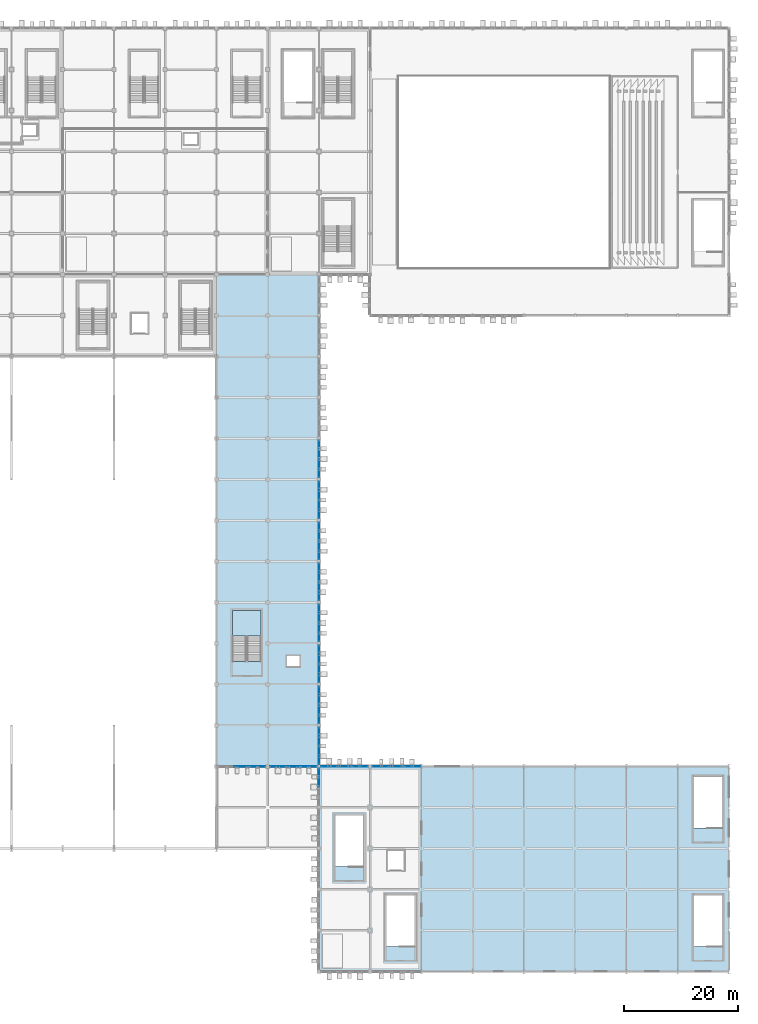
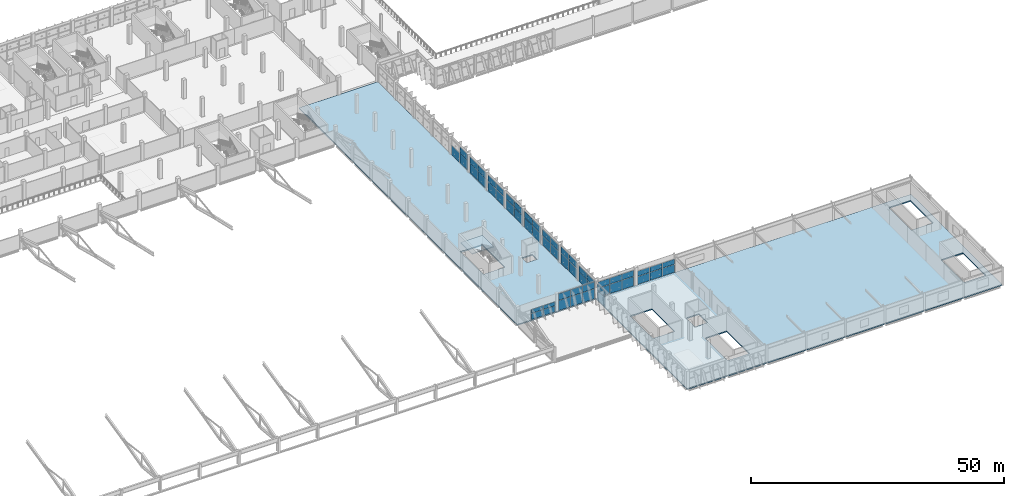
# One storey, part 89 of 151: 55 plates, 3 slabs, 14 elements without a shape of their own.
"""IFC4 building model written with IfcOpenShell, lengths in metres."""

from ifc_helpers import new_model, si_unit, direction, frame, origin, origin_2d, place, context, subcontext, project, spatial, polyline, rectangle, outline, extrude, material, layer, layer_set, type_object, element, aggregate, save


model = new_model("IFC4")

# Units and contexts
model_context = context("Model", 3, precision=1e-05, world=origin(), true_north=direction((0.0, 1.0)))
body_context = subcontext(model_context, "Body", "Model", "MODEL_VIEW")
ifc_project = project(units=[si_unit("LENGTHUNIT", "METRE"), si_unit("AREAUNIT", "SQUARE_METRE"), si_unit("VOLUMEUNIT", "CUBIC_METRE"), si_unit("PLANEANGLEUNIT", "RADIAN"), si_unit("MASSUNIT", "GRAM", prefix="KILO")], contexts=[model_context])

# Site, building, storey
site_placement = place(None, origin())
site = spatial("IfcSite", under=ifc_project, at=site_placement, CompositionType="ELEMENT")
building_placement = place(site_placement, origin())
building = spatial("IfcBuilding", under=site, at=building_placement, Name="Celestram Park Convention Centre", CompositionType="ELEMENT")
storey_placement = place(building_placement, frame((0.0, 0.0, 10.800048828125)))
storey = spatial("IfcBuildingStorey", under=building, at=storey_placement, Name="L02", CompositionType="ELEMENT", Elevation=10.800048828125)

# Curtain wall, plates
ifc_material_1 = material(Name="Anodised Aluminium Alloy 6063-T6", Category="aluminium")
ifc_layer_1 = layer(ifc_material_1, 0.179931640625)
ifc_layer_set_1 = layer_set([ifc_layer_1], Name="Anodised Aluminium Alloy 6063-T6")
curtain_wall_type_1 = type_object("IfcCurtainWallType", Name="ARC-CW-650X390", PredefinedType="NOTDEFINED", material=ifc_layer_set_1)
curtain_wall_1_placement = place(storey_placement, origin())
curtain_wall_1 = element("IfcCurtainWall", 1, at=curtain_wall_1_placement, inside=storey, type_object=curtain_wall_type_1, Name="Unitised curtain wall CU-L02-143", PredefinedType="NOTDEFINED")
ifc_material_2 = material(Name="Insulated Glazing Unit 28 mm", Category="glass")
ifc_layer_2 = layer(ifc_material_2, 0.028076171875)
ifc_layer_set_2 = layer_set([ifc_layer_2], Name="Insulated Glazing Unit 28 mm")
plate_type_1 = type_object("IfcPlateType", Name="ARC-CWP-IGU28", PredefinedType="CURTAIN_PANEL", material=ifc_layer_set_2)
plate_1_placement = place(storey_placement, frame((144.0, 34.009765625, 0.06005859375), z_axis=(0.0, 0.0, 1.0), x_axis=(0.0, 1.0, 0.0)))
plate_1 = element("IfcPlate", 2, at=plate_1_placement, type_object=plate_type_1, Name="CW-65X39 panel 2.1", PredefinedType="CURTAIN_PANEL", context=body_context, shape_type="SweptSolid", body=[
    extrude(rectangle(XDim=3.154541015625, YDim=0.028076171875, at=origin_2d()), origin(), (0.0, 0.0, 1.0), 2.251953125),
])
plate_2_placement = place(storey_placement, frame((144.0, 34.009765625, 2.3720703125), z_axis=(0.0, 0.0, 1.0), x_axis=(0.0, 1.0, 0.0)))
plate_2 = element("IfcPlate", 3, at=plate_2_placement, type_object=plate_type_1, Name="CW-65X39 panel 2.2", PredefinedType="CURTAIN_PANEL", context=body_context, shape_type="SweptSolid", body=[
    extrude(rectangle(XDim=3.154541015625, YDim=0.028076171875, at=origin_2d()), origin(), (0.0, 0.0, 1.0), 1.471923828125),
])
aggregate(curtain_wall_1, [plate_1, plate_2])

ifc_layer_3 = layer(ifc_material_1, 0.179931640625)
ifc_layer_set_3 = layer_set([ifc_layer_3], Name="Anodised Aluminium Alloy 6063-T6")
curtain_wall_type_2 = type_object("IfcCurtainWallType", Name="ARC-CW-650X400", PredefinedType="NOTDEFINED", material=ifc_layer_set_3)
curtain_wall_2_placement = place(storey_placement, origin())
curtain_wall_2 = element("IfcCurtainWall", 4, at=curtain_wall_2_placement, inside=storey, type_object=curtain_wall_type_2, Name="Unitised curtain wall CU-L02-185", PredefinedType="NOTDEFINED")
plate_3_placement = place(storey_placement, frame((144.0, 91.60986328125, 0.059814453125), z_axis=(0.0, 0.0, 1.0), x_axis=(0.0, -1.0, 0.0)))
plate_3 = element("IfcPlate", 5, at=plate_3_placement, type_object=plate_type_1, Name="CW-65X40 panel 1.1", PredefinedType="CURTAIN_PANEL", context=body_context, shape_type="SweptSolid", body=[
    extrude(rectangle(XDim=3.154541015625, YDim=0.028076171875, at=origin_2d()), origin(), (0.0, 0.0, 1.0), 2.31005859375),
])
plate_4_placement = place(storey_placement, frame((144.0, 88.39013671875, 0.059814453125), z_axis=(0.0, 0.0, 1.0), x_axis=(0.0, -1.0, 0.0)))
plate_4 = element("IfcPlate", 6, at=plate_4_placement, type_object=plate_type_1, Name="CW-65X40 panel 2.1", PredefinedType="CURTAIN_PANEL", context=body_context, shape_type="SweptSolid", body=[
    extrude(rectangle(XDim=3.154541015625, YDim=0.028076171875, at=origin_2d()), origin(), (0.0, 0.0, 1.0), 2.31005859375),
])
plate_5_placement = place(storey_placement, frame((144.0, 88.39013671875, 2.43017578125), z_axis=(0.0, 0.0, 1.0), x_axis=(0.0, -1.0, 0.0)))
plate_5 = element("IfcPlate", 7, at=plate_5_placement, type_object=plate_type_1, Name="CW-65X40 panel 2.2", PredefinedType="CURTAIN_PANEL", context=body_context, shape_type="SweptSolid", body=[
    extrude(rectangle(XDim=3.154541015625, YDim=0.028076171875, at=origin_2d()), origin(), (0.0, 0.0, 1.0), 1.510009765625),
])
aggregate(curtain_wall_2, [plate_3, plate_4, plate_5])

curtain_wall_3_placement = place(storey_placement, origin())
curtain_wall_3 = element("IfcCurtainWall", 8, at=curtain_wall_3_placement, inside=storey, type_object=curtain_wall_type_2, Name="Unitised curtain wall CU-L02-186", PredefinedType="NOTDEFINED")
plate_6_placement = place(storey_placement, frame((144.0, 84.40966796875, 0.059814453125), z_axis=(0.0, 0.0, 1.0), x_axis=(0.0, -1.0, 0.0)))
plate_6 = element("IfcPlate", 9, at=plate_6_placement, type_object=plate_type_1, Name="CW-65X40 panel 1.1", PredefinedType="CURTAIN_PANEL", context=body_context, shape_type="SweptSolid", body=[
    extrude(rectangle(XDim=3.154541015625, YDim=0.028076171875, at=origin_2d()), origin(), (0.0, 0.0, 1.0), 2.31005859375),
])
plate_7_placement = place(storey_placement, frame((144.0, 84.40966796875, 2.43017578125), z_axis=(0.0, 0.0, 1.0), x_axis=(0.0, -1.0, 0.0)))
plate_7 = element("IfcPlate", 10, at=plate_7_placement, type_object=plate_type_1, Name="CW-65X40 panel 1.2", PredefinedType="CURTAIN_PANEL", context=body_context, shape_type="SweptSolid", body=[
    extrude(rectangle(XDim=3.154541015625, YDim=0.028076171875, at=origin_2d()), origin(), (0.0, 0.0, 1.0), 1.510009765625),
])
plate_8_placement = place(storey_placement, frame((144.0, 81.190185546875, 0.059814453125), z_axis=(0.0, 0.0, 1.0), x_axis=(0.0, -1.0, 0.0)))
plate_8 = element("IfcPlate", 11, at=plate_8_placement, type_object=plate_type_1, Name="CW-65X40 panel 2.1", PredefinedType="CURTAIN_PANEL", context=body_context, shape_type="SweptSolid", body=[
    extrude(rectangle(XDim=3.154541015625, YDim=0.028076171875, at=origin_2d()), origin(), (0.0, 0.0, 1.0), 2.31005859375),
])
plate_9_placement = place(storey_placement, frame((144.0, 81.190185546875, 2.43017578125), z_axis=(0.0, 0.0, 1.0), x_axis=(0.0, -1.0, 0.0)))
plate_9 = element("IfcPlate", 12, at=plate_9_placement, type_object=plate_type_1, Name="CW-65X40 panel 2.2", PredefinedType="CURTAIN_PANEL", context=body_context, shape_type="SweptSolid", body=[
    extrude(rectangle(XDim=3.154541015625, YDim=0.028076171875, at=origin_2d()), origin(), (0.0, 0.0, 1.0), 1.510009765625),
])
aggregate(curtain_wall_3, [plate_6, plate_7, plate_8, plate_9])

curtain_wall_4_placement = place(storey_placement, origin())
curtain_wall_4 = element("IfcCurtainWall", 13, at=curtain_wall_4_placement, inside=storey, type_object=curtain_wall_type_2, Name="Unitised curtain wall CU-L02-187", PredefinedType="NOTDEFINED")
plate_10_placement = place(storey_placement, frame((144.0, 77.209716796875, 0.059814453125), z_axis=(0.0, 0.0, 1.0), x_axis=(0.0, -1.0, 0.0)))
plate_10 = element("IfcPlate", 14, at=plate_10_placement, type_object=plate_type_1, Name="CW-65X40 panel 1.1", PredefinedType="CURTAIN_PANEL", context=body_context, shape_type="SweptSolid", body=[
    extrude(rectangle(XDim=3.154541015625, YDim=0.028076171875, at=origin_2d()), origin(), (0.0, 0.0, 1.0), 2.31005859375),
])
plate_11_placement = place(storey_placement, frame((144.0, 77.209716796875, 2.43017578125), z_axis=(0.0, 0.0, 1.0), x_axis=(0.0, -1.0, 0.0)))
plate_11 = element("IfcPlate", 15, at=plate_11_placement, type_object=plate_type_1, Name="CW-65X40 panel 1.2", PredefinedType="CURTAIN_PANEL", context=body_context, shape_type="SweptSolid", body=[
    extrude(rectangle(XDim=3.154541015625, YDim=0.028076171875, at=origin_2d()), origin(), (0.0, 0.0, 1.0), 1.510009765625),
])
plate_12_placement = place(storey_placement, frame((144.0, 73.990234375, 0.059814453125), z_axis=(0.0, 0.0, 1.0), x_axis=(0.0, -1.0, 0.0)))
plate_12 = element("IfcPlate", 16, at=plate_12_placement, type_object=plate_type_1, Name="CW-65X40 panel 2.1", PredefinedType="CURTAIN_PANEL", context=body_context, shape_type="SweptSolid", body=[
    extrude(rectangle(XDim=3.154541015625, YDim=0.028076171875, at=origin_2d()), origin(), (0.0, 0.0, 1.0), 2.31005859375),
])
plate_13_placement = place(storey_placement, frame((144.0, 73.990234375, 2.43017578125), z_axis=(0.0, 0.0, 1.0), x_axis=(0.0, -1.0, 0.0)))
plate_13 = element("IfcPlate", 17, at=plate_13_placement, type_object=plate_type_1, Name="CW-65X40 panel 2.2", PredefinedType="CURTAIN_PANEL", context=body_context, shape_type="SweptSolid", body=[
    extrude(rectangle(XDim=3.154541015625, YDim=0.028076171875, at=origin_2d()), origin(), (0.0, 0.0, 1.0), 1.510009765625),
])
aggregate(curtain_wall_4, [plate_10, plate_11, plate_12, plate_13])

curtain_wall_5_placement = place(storey_placement, origin())
curtain_wall_5 = element("IfcCurtainWall", 18, at=curtain_wall_5_placement, inside=storey, type_object=curtain_wall_type_2, Name="Unitised curtain wall CU-L02-188", PredefinedType="NOTDEFINED")
plate_14_placement = place(storey_placement, frame((144.0, 70.009765625, 0.059814453125), z_axis=(0.0, 0.0, 1.0), x_axis=(0.0, -1.0, 0.0)))
plate_14 = element("IfcPlate", 19, at=plate_14_placement, type_object=plate_type_1, Name="CW-65X40 panel 1.1", PredefinedType="CURTAIN_PANEL", context=body_context, shape_type="SweptSolid", body=[
    extrude(rectangle(XDim=3.154541015625, YDim=0.028076171875, at=origin_2d()), origin(), (0.0, 0.0, 1.0), 2.31005859375),
])
plate_15_placement = place(storey_placement, frame((144.0, 70.009765625, 2.43017578125), z_axis=(0.0, 0.0, 1.0), x_axis=(0.0, -1.0, 0.0)))
plate_15 = element("IfcPlate", 20, at=plate_15_placement, type_object=plate_type_1, Name="CW-65X40 panel 1.2", PredefinedType="CURTAIN_PANEL", context=body_context, shape_type="SweptSolid", body=[
    extrude(rectangle(XDim=3.154541015625, YDim=0.028076171875, at=origin_2d()), origin(), (0.0, 0.0, 1.0), 1.510009765625),
])
plate_16_placement = place(storey_placement, frame((144.0, 66.790283203125, 0.059814453125), z_axis=(0.0, 0.0, 1.0), x_axis=(0.0, -1.0, 0.0)))
plate_16 = element("IfcPlate", 21, at=plate_16_placement, type_object=plate_type_1, Name="CW-65X40 panel 2.1", PredefinedType="CURTAIN_PANEL", context=body_context, shape_type="SweptSolid", body=[
    extrude(rectangle(XDim=3.154541015625, YDim=0.028076171875, at=origin_2d()), origin(), (0.0, 0.0, 1.0), 2.31005859375),
])
plate_17_placement = place(storey_placement, frame((144.0, 66.790283203125, 2.43017578125), z_axis=(0.0, 0.0, 1.0), x_axis=(0.0, -1.0, 0.0)))
plate_17 = element("IfcPlate", 22, at=plate_17_placement, type_object=plate_type_1, Name="CW-65X40 panel 2.2", PredefinedType="CURTAIN_PANEL", context=body_context, shape_type="SweptSolid", body=[
    extrude(rectangle(XDim=3.154541015625, YDim=0.028076171875, at=origin_2d()), origin(), (0.0, 0.0, 1.0), 1.510009765625),
])
aggregate(curtain_wall_5, [plate_14, plate_15, plate_16, plate_17])

curtain_wall_6_placement = place(storey_placement, origin())
curtain_wall_6 = element("IfcCurtainWall", 23, at=curtain_wall_6_placement, inside=storey, type_object=curtain_wall_type_2, Name="Unitised curtain wall CU-L02-189", PredefinedType="NOTDEFINED")
plate_18_placement = place(storey_placement, frame((144.0, 62.809814453125, 0.059814453125), z_axis=(0.0, 0.0, 1.0), x_axis=(0.0, -1.0, 0.0)))
plate_18 = element("IfcPlate", 24, at=plate_18_placement, type_object=plate_type_1, Name="CW-65X40 panel 1.1", PredefinedType="CURTAIN_PANEL", context=body_context, shape_type="SweptSolid", body=[
    extrude(rectangle(XDim=3.154541015625, YDim=0.028076171875, at=origin_2d()), origin(), (0.0, 0.0, 1.0), 2.31005859375),
])
plate_19_placement = place(storey_placement, frame((144.0, 62.809814453125, 2.43017578125), z_axis=(0.0, 0.0, 1.0), x_axis=(0.0, -1.0, 0.0)))
plate_19 = element("IfcPlate", 25, at=plate_19_placement, type_object=plate_type_1, Name="CW-65X40 panel 1.2", PredefinedType="CURTAIN_PANEL", context=body_context, shape_type="SweptSolid", body=[
    extrude(rectangle(XDim=3.154541015625, YDim=0.028076171875, at=origin_2d()), origin(), (0.0, 0.0, 1.0), 1.510009765625),
])
plate_20_placement = place(storey_placement, frame((144.0, 59.59033203125, 0.059814453125), z_axis=(0.0, 0.0, 1.0), x_axis=(0.0, -1.0, 0.0)))
plate_20 = element("IfcPlate", 26, at=plate_20_placement, type_object=plate_type_1, Name="CW-65X40 panel 2.1", PredefinedType="CURTAIN_PANEL", context=body_context, shape_type="SweptSolid", body=[
    extrude(rectangle(XDim=3.154541015625, YDim=0.028076171875, at=origin_2d()), origin(), (0.0, 0.0, 1.0), 2.31005859375),
])
plate_21_placement = place(storey_placement, frame((144.0, 59.59033203125, 2.43017578125), z_axis=(0.0, 0.0, 1.0), x_axis=(0.0, -1.0, 0.0)))
plate_21 = element("IfcPlate", 27, at=plate_21_placement, type_object=plate_type_1, Name="CW-65X40 panel 2.2", PredefinedType="CURTAIN_PANEL", context=body_context, shape_type="SweptSolid", body=[
    extrude(rectangle(XDim=3.154541015625, YDim=0.028076171875, at=origin_2d()), origin(), (0.0, 0.0, 1.0), 1.510009765625),
])
aggregate(curtain_wall_6, [plate_18, plate_19, plate_20, plate_21])

curtain_wall_7_placement = place(storey_placement, origin())
curtain_wall_7 = element("IfcCurtainWall", 28, at=curtain_wall_7_placement, inside=storey, type_object=curtain_wall_type_2, Name="Unitised curtain wall CU-L02-190", PredefinedType="NOTDEFINED")
plate_22_placement = place(storey_placement, frame((144.0, 55.60986328125, 0.059814453125), z_axis=(0.0, 0.0, 1.0), x_axis=(0.0, -1.0, 0.0)))
plate_22 = element("IfcPlate", 29, at=plate_22_placement, type_object=plate_type_1, Name="CW-65X40 panel 1.1", PredefinedType="CURTAIN_PANEL", context=body_context, shape_type="SweptSolid", body=[
    extrude(rectangle(XDim=3.154541015625, YDim=0.028076171875, at=origin_2d()), origin(), (0.0, 0.0, 1.0), 2.31005859375),
])
plate_23_placement = place(storey_placement, frame((144.0, 55.60986328125, 2.43017578125), z_axis=(0.0, 0.0, 1.0), x_axis=(0.0, -1.0, 0.0)))
plate_23 = element("IfcPlate", 30, at=plate_23_placement, type_object=plate_type_1, Name="CW-65X40 panel 1.2", PredefinedType="CURTAIN_PANEL", context=body_context, shape_type="SweptSolid", body=[
    extrude(rectangle(XDim=3.154541015625, YDim=0.028076171875, at=origin_2d()), origin(), (0.0, 0.0, 1.0), 1.510009765625),
])
plate_24_placement = place(storey_placement, frame((144.0, 52.39013671875, 0.059814453125), z_axis=(0.0, 0.0, 1.0), x_axis=(0.0, -1.0, 0.0)))
plate_24 = element("IfcPlate", 31, at=plate_24_placement, type_object=plate_type_1, Name="CW-65X40 panel 2.1", PredefinedType="CURTAIN_PANEL", context=body_context, shape_type="SweptSolid", body=[
    extrude(rectangle(XDim=3.154541015625, YDim=0.028076171875, at=origin_2d()), origin(), (0.0, 0.0, 1.0), 2.31005859375),
])
plate_25_placement = place(storey_placement, frame((144.0, 52.39013671875, 2.43017578125), z_axis=(0.0, 0.0, 1.0), x_axis=(0.0, -1.0, 0.0)))
plate_25 = element("IfcPlate", 32, at=plate_25_placement, type_object=plate_type_1, Name="CW-65X40 panel 2.2", PredefinedType="CURTAIN_PANEL", context=body_context, shape_type="SweptSolid", body=[
    extrude(rectangle(XDim=3.154541015625, YDim=0.028076171875, at=origin_2d()), origin(), (0.0, 0.0, 1.0), 1.510009765625),
])
aggregate(curtain_wall_7, [plate_22, plate_23, plate_24, plate_25])

ifc_layer_4 = layer(ifc_material_1, 0.179931640625)
ifc_layer_set_4 = layer_set([ifc_layer_4], Name="Anodised Aluminium Alloy 6063-T6")
curtain_wall_type_3 = type_object("IfcCurtainWallType", Name="ARC-CW-650X420", PredefinedType="NOTDEFINED", material=ifc_layer_set_4)
curtain_wall_8_placement = place(storey_placement, origin())
curtain_wall_8 = element("IfcCurtainWall", 33, at=curtain_wall_8_placement, inside=storey, type_object=curtain_wall_type_3, Name="Unitised curtain wall CU-L02-191", PredefinedType="NOTDEFINED")
plate_26_placement = place(storey_placement, frame((144.0, 48.40966796875, 0.06005859375), z_axis=(0.0, 0.0, 1.0), x_axis=(0.0, -1.0, 0.0)))
plate_26 = element("IfcPlate", 34, at=plate_26_placement, type_object=plate_type_1, Name="CW-65X42 panel 1.1", PredefinedType="CURTAIN_PANEL", context=body_context, shape_type="SweptSolid", body=[
    extrude(rectangle(XDim=3.154541015625, YDim=0.028076171875, at=origin_2d()), origin(), (0.0, 0.0, 1.0), 2.429931640625),
])
plate_27_placement = place(storey_placement, frame((144.0, 48.40966796875, 2.5498046875), z_axis=(0.0, 0.0, 1.0), x_axis=(0.0, -1.0, 0.0)))
plate_27 = element("IfcPlate", 35, at=plate_27_placement, type_object=plate_type_1, Name="CW-65X42 panel 1.2", PredefinedType="CURTAIN_PANEL", context=body_context, shape_type="SweptSolid", body=[
    extrude(rectangle(XDim=3.154541015625, YDim=0.028076171875, at=origin_2d()), origin(), (0.0, 0.0, 1.0), 1.590087890625),
])
plate_28_placement = place(storey_placement, frame((144.0, 45.190185546875, 0.06005859375), z_axis=(0.0, 0.0, 1.0), x_axis=(0.0, -1.0, 0.0)))
plate_28 = element("IfcPlate", 36, at=plate_28_placement, type_object=plate_type_1, Name="CW-65X42 panel 2.1", PredefinedType="CURTAIN_PANEL", context=body_context, shape_type="SweptSolid", body=[
    extrude(rectangle(XDim=3.154541015625, YDim=0.028076171875, at=origin_2d()), origin(), (0.0, 0.0, 1.0), 2.429931640625),
])
plate_29_placement = place(storey_placement, frame((144.0, 45.190185546875, 2.5498046875), z_axis=(0.0, 0.0, 1.0), x_axis=(0.0, -1.0, 0.0)))
plate_29 = element("IfcPlate", 37, at=plate_29_placement, type_object=plate_type_1, Name="CW-65X42 panel 2.2", PredefinedType="CURTAIN_PANEL", context=body_context, shape_type="SweptSolid", body=[
    extrude(rectangle(XDim=3.154541015625, YDim=0.028076171875, at=origin_2d()), origin(), (0.0, 0.0, 1.0), 1.590087890625),
])
aggregate(curtain_wall_8, [plate_26, plate_27, plate_28, plate_29])

curtain_wall_9_placement = place(storey_placement, origin())
curtain_wall_9 = element("IfcCurtainWall", 38, at=curtain_wall_9_placement, inside=storey, type_object=curtain_wall_type_1, Name="Unitised curtain wall CU-L02-192", PredefinedType="NOTDEFINED")
plate_30_placement = place(storey_placement, frame((144.0, 41.209716796875, 0.06005859375), z_axis=(0.0, 0.0, 1.0), x_axis=(0.0, -1.0, 0.0)))
plate_30 = element("IfcPlate", 39, at=plate_30_placement, type_object=plate_type_1, Name="CW-65X39 panel 1.1", PredefinedType="CURTAIN_PANEL", context=body_context, shape_type="SweptSolid", body=[
    extrude(rectangle(XDim=3.154541015625, YDim=0.028076171875, at=origin_2d()), origin(), (0.0, 0.0, 1.0), 2.251953125),
])
plate_31_placement = place(storey_placement, frame((144.0, 41.209716796875, 2.3720703125), z_axis=(0.0, 0.0, 1.0), x_axis=(0.0, -1.0, 0.0)))
plate_31 = element("IfcPlate", 40, at=plate_31_placement, type_object=plate_type_1, Name="CW-65X39 panel 1.2", PredefinedType="CURTAIN_PANEL", context=body_context, shape_type="SweptSolid", body=[
    extrude(rectangle(XDim=3.154541015625, YDim=0.028076171875, at=origin_2d()), origin(), (0.0, 0.0, 1.0), 1.471923828125),
])
plate_32_placement = place(storey_placement, frame((144.0, 37.990234375, 0.06005859375), z_axis=(0.0, 0.0, 1.0), x_axis=(0.0, -1.0, 0.0)))
plate_32 = element("IfcPlate", 41, at=plate_32_placement, type_object=plate_type_1, Name="CW-65X39 panel 2.1", PredefinedType="CURTAIN_PANEL", context=body_context, shape_type="SweptSolid", body=[
    extrude(rectangle(XDim=3.154541015625, YDim=0.028076171875, at=origin_2d()), origin(), (0.0, 0.0, 1.0), 2.251953125),
])
plate_33_placement = place(storey_placement, frame((144.0, 37.990234375, 2.3720703125), z_axis=(0.0, 0.0, 1.0), x_axis=(0.0, -1.0, 0.0)))
plate_33 = element("IfcPlate", 42, at=plate_33_placement, type_object=plate_type_1, Name="CW-65X39 panel 2.2", PredefinedType="CURTAIN_PANEL", context=body_context, shape_type="SweptSolid", body=[
    extrude(rectangle(XDim=3.154541015625, YDim=0.028076171875, at=origin_2d()), origin(), (0.0, 0.0, 1.0), 1.471923828125),
])
aggregate(curtain_wall_9, [plate_30, plate_31, plate_32, plate_33])

ifc_layer_5 = layer(ifc_material_1, 0.179931640625)
ifc_layer_set_5 = layer_set([ifc_layer_5], Name="Anodised Aluminium Alloy 6063-T6")
curtain_wall_type_4 = type_object("IfcCurtainWallType", Name="ARC-CW-830X390", PredefinedType="NOTDEFINED", material=ifc_layer_set_5)
curtain_wall_10_placement = place(storey_placement, origin())
curtain_wall_10 = element("IfcCurtainWall", 43, at=curtain_wall_10_placement, inside=storey, type_object=curtain_wall_type_4, Name="Unitised curtain wall CU-L02-144", PredefinedType="NOTDEFINED")
ifc_material_3 = material(Name="Insulated Glazing Unit 38 mm", Category="glass")
ifc_layer_6 = layer(ifc_material_3, 0.0380859375)
ifc_layer_set_6 = layer_set([ifc_layer_6], Name="Insulated Glazing Unit 38 mm")
plate_type_2 = type_object("IfcPlateType", Name="ARC-CWP-IGU38", PredefinedType="CURTAIN_PANEL", material=ifc_layer_set_6)
plate_34_placement = place(storey_placement, frame((145.750732421875, 36.0, 0.06494140625), z_axis=(0.0, 0.0, 1.0), x_axis=(1.0, 0.0, 0.0)))
plate_34 = element("IfcPlate", 44, at=plate_34_placement, type_object=plate_type_2, Name="CW-83X39 panel 1.1", PredefinedType="CURTAIN_PANEL", context=body_context, shape_type="SweptSolid", body=[
    extrude(rectangle(XDim=2.655517578125, YDim=0.0380859375, at=origin_2d()), origin(), (0.0, 0.0, 1.0), 2.244384765625),
])
plate_35_placement = place(storey_placement, frame((145.750732421875, 36.0, 2.37451171875), z_axis=(0.0, 0.0, 1.0), x_axis=(1.0, 0.0, 0.0)))
plate_35 = element("IfcPlate", 45, at=plate_35_placement, type_object=plate_type_2, Name="CW-83X39 panel 1.2", PredefinedType="CURTAIN_PANEL", context=body_context, shape_type="SweptSolid", body=[
    extrude(rectangle(XDim=2.655517578125, YDim=0.0380859375, at=origin_2d()), origin(), (0.0, 0.0, 1.0), 1.464599609375),
])
plate_36_placement = place(storey_placement, frame((148.5, 36.0, 0.06494140625), z_axis=(0.0, 0.0, 1.0), x_axis=(1.0, 0.0, 0.0)))
plate_36 = element("IfcPlate", 46, at=plate_36_placement, type_object=plate_type_2, Name="CW-83X39 panel 2.1", PredefinedType="CURTAIN_PANEL", context=body_context, shape_type="SweptSolid", body=[
    extrude(rectangle(XDim=2.693115234375, YDim=0.0380859375, at=origin_2d()), origin(), (0.0, 0.0, 1.0), 2.244384765625),
])
plate_37_placement = place(storey_placement, frame((148.5, 36.0, 2.37451171875), z_axis=(0.0, 0.0, 1.0), x_axis=(1.0, 0.0, 0.0)))
plate_37 = element("IfcPlate", 47, at=plate_37_placement, type_object=plate_type_2, Name="CW-83X39 panel 2.2", PredefinedType="CURTAIN_PANEL", context=body_context, shape_type="SweptSolid", body=[
    extrude(rectangle(XDim=2.693115234375, YDim=0.0380859375, at=origin_2d()), origin(), (0.0, 0.0, 1.0), 1.464599609375),
])
plate_38_placement = place(storey_placement, frame((151.249267578125, 36.0, 0.06494140625), z_axis=(0.0, 0.0, 1.0), x_axis=(1.0, 0.0, 0.0)))
plate_38 = element("IfcPlate", 48, at=plate_38_placement, type_object=plate_type_2, Name="CW-83X39 panel 3.1", PredefinedType="CURTAIN_PANEL", context=body_context, shape_type="SweptSolid", body=[
    extrude(rectangle(XDim=2.655517578125, YDim=0.0380859375, at=origin_2d()), origin(), (0.0, 0.0, 1.0), 2.244384765625),
])
plate_39_placement = place(storey_placement, frame((151.249267578125, 36.0, 2.37451171875), z_axis=(0.0, 0.0, 1.0), x_axis=(1.0, 0.0, 0.0)))
plate_39 = element("IfcPlate", 49, at=plate_39_placement, type_object=plate_type_2, Name="CW-83X39 panel 3.2", PredefinedType="CURTAIN_PANEL", context=body_context, shape_type="SweptSolid", body=[
    extrude(rectangle(XDim=2.655517578125, YDim=0.0380859375, at=origin_2d()), origin(), (0.0, 0.0, 1.0), 1.464599609375),
])
aggregate(curtain_wall_10, [plate_34, plate_35, plate_36, plate_37, plate_38, plate_39])

ifc_layer_7 = layer(ifc_material_1, 0.179931640625)
ifc_layer_set_7 = layer_set([ifc_layer_7], Name="Anodised Aluminium Alloy 6063-T6")
curtain_wall_type_5 = type_object("IfcCurtainWallType", Name="ARC-CW-864X334", PredefinedType="NOTDEFINED", material=ifc_layer_set_7)
curtain_wall_11_placement = place(storey_placement, origin())
curtain_wall_11 = element("IfcCurtainWall", 50, at=curtain_wall_11_placement, inside=storey, type_object=curtain_wall_type_5, Name="Unitised curtain wall CU-L02-145", PredefinedType="NOTDEFINED")
plate_40_placement = place(storey_placement, frame((154.8076171875, 36.0, 0.06494140625), z_axis=(0.0, 0.0, 1.0), x_axis=(1.0, 0.0, 0.0)))
plate_40 = element("IfcPlate", 51, at=plate_40_placement, type_object=plate_type_2, Name="CW-86X33 panel 1.1", PredefinedType="CURTAIN_PANEL", context=body_context, shape_type="SweptSolid", body=[
    extrude(rectangle(XDim=2.76904296875, YDim=0.0380859375, at=origin_2d()), origin(), (0.0, 0.0, 1.0), 1.904541015625),
])
plate_41_placement = place(storey_placement, frame((154.8076171875, 36.0, 2.0341796875), z_axis=(0.0, 0.0, 1.0), x_axis=(1.0, 0.0, 0.0)))
plate_41 = element("IfcPlate", 52, at=plate_41_placement, type_object=plate_type_2, Name="CW-86X33 panel 1.2", PredefinedType="CURTAIN_PANEL", context=body_context, shape_type="SweptSolid", body=[
    extrude(rectangle(XDim=2.76904296875, YDim=0.0380859375, at=origin_2d()), origin(), (0.0, 0.0, 1.0), 1.236572265625),
])
plate_42_placement = place(storey_placement, frame((157.67041015625, 36.0, 0.06494140625), z_axis=(0.0, 0.0, 1.0), x_axis=(1.0, 0.0, 0.0)))
plate_42 = element("IfcPlate", 53, at=plate_42_placement, type_object=plate_type_2, Name="CW-86X33 panel 2.1", PredefinedType="CURTAIN_PANEL", context=body_context, shape_type="SweptSolid", body=[
    extrude(rectangle(XDim=2.806640625, YDim=0.0380859375, at=origin_2d()), origin(), (0.0, 0.0, 1.0), 1.904541015625),
])
plate_43_placement = place(storey_placement, frame((157.67041015625, 36.0, 2.0341796875), z_axis=(0.0, 0.0, 1.0), x_axis=(1.0, 0.0, 0.0)))
plate_43 = element("IfcPlate", 54, at=plate_43_placement, type_object=plate_type_2, Name="CW-86X33 panel 2.2", PredefinedType="CURTAIN_PANEL", context=body_context, shape_type="SweptSolid", body=[
    extrude(rectangle(XDim=2.806640625, YDim=0.0380859375, at=origin_2d()), origin(), (0.0, 0.0, 1.0), 1.236572265625),
])
plate_44_placement = place(storey_placement, frame((160.533447265625, 36.0, 0.06494140625), z_axis=(0.0, 0.0, 1.0), x_axis=(1.0, 0.0, 0.0)))
plate_44 = element("IfcPlate", 55, at=plate_44_placement, type_object=plate_type_2, Name="CW-86X33 panel 3.1", PredefinedType="CURTAIN_PANEL", context=body_context, shape_type="SweptSolid", body=[
    extrude(rectangle(XDim=2.76904296875, YDim=0.0380859375, at=origin_2d()), origin(), (0.0, 0.0, 1.0), 1.904541015625),
])
plate_45_placement = place(storey_placement, frame((160.533447265625, 36.0, 2.0341796875), z_axis=(0.0, 0.0, 1.0), x_axis=(1.0, 0.0, 0.0)))
plate_45 = element("IfcPlate", 56, at=plate_45_placement, type_object=plate_type_2, Name="CW-86X33 panel 3.2", PredefinedType="CURTAIN_PANEL", context=body_context, shape_type="SweptSolid", body=[
    extrude(rectangle(XDim=2.76904296875, YDim=0.0380859375, at=origin_2d()), origin(), (0.0, 0.0, 1.0), 1.236572265625),
])
aggregate(curtain_wall_11, [plate_40, plate_41, plate_42, plate_43, plate_44, plate_45])

ifc_layer_8 = layer(ifc_material_1, 0.179931640625)
ifc_layer_set_8 = layer_set([ifc_layer_8], Name="Anodised Aluminium Alloy 6063-T6")
curtain_wall_type_6 = type_object("IfcCurtainWallType", Name="ARC-CW-830X420", PredefinedType="NOTDEFINED", material=ifc_layer_set_8)
curtain_wall_12_placement = place(storey_placement, origin())
curtain_wall_12 = element("IfcCurtainWall", 57, at=curtain_wall_12_placement, inside=storey, type_object=curtain_wall_type_6, Name="Unitised curtain wall CU-L02-193", PredefinedType="NOTDEFINED")
plate_46_placement = place(storey_placement, frame((142.249267578125, 36.0, 0.06494140625), z_axis=(0.0, 0.0, 1.0), x_axis=(-1.0, 0.0, 0.0)))
plate_46 = element("IfcPlate", 58, at=plate_46_placement, type_object=plate_type_2, Name="CW-83X42 panel 1.1", PredefinedType="CURTAIN_PANEL", context=body_context, shape_type="SweptSolid", body=[
    extrude(rectangle(XDim=2.655517578125, YDim=0.0380859375, at=origin_2d()), origin(), (0.0, 0.0, 1.0), 2.422607421875),
])
plate_47_placement = place(storey_placement, frame((142.249267578125, 36.0, 2.552490234375), z_axis=(0.0, 0.0, 1.0), x_axis=(-1.0, 0.0, 0.0)))
plate_47 = element("IfcPlate", 59, at=plate_47_placement, type_object=plate_type_2, Name="CW-83X42 panel 1.2", PredefinedType="CURTAIN_PANEL", context=body_context, shape_type="SweptSolid", body=[
    extrude(rectangle(XDim=2.655517578125, YDim=0.0380859375, at=origin_2d()), origin(), (0.0, 0.0, 1.0), 1.58251953125),
])
plate_48_placement = place(storey_placement, frame((139.5, 36.0, 0.06494140625), z_axis=(0.0, 0.0, 1.0), x_axis=(-1.0, 0.0, 0.0)))
plate_48 = element("IfcPlate", 60, at=plate_48_placement, type_object=plate_type_2, Name="CW-83X42 panel 2.1", PredefinedType="CURTAIN_PANEL", context=body_context, shape_type="SweptSolid", body=[
    extrude(rectangle(XDim=2.693115234375, YDim=0.0380859375, at=origin_2d()), origin(), (0.0, 0.0, 1.0), 2.422607421875),
])
plate_49_placement = place(storey_placement, frame((139.5, 36.0, 2.552490234375), z_axis=(0.0, 0.0, 1.0), x_axis=(-1.0, 0.0, 0.0)))
plate_49 = element("IfcPlate", 61, at=plate_49_placement, type_object=plate_type_2, Name="CW-83X42 panel 2.2", PredefinedType="CURTAIN_PANEL", context=body_context, shape_type="SweptSolid", body=[
    extrude(rectangle(XDim=2.693115234375, YDim=0.0380859375, at=origin_2d()), origin(), (0.0, 0.0, 1.0), 1.58251953125),
])
plate_50_placement = place(storey_placement, frame((136.750732421875, 36.0, 0.06494140625), z_axis=(0.0, 0.0, 1.0), x_axis=(-1.0, 0.0, 0.0)))
plate_50 = element("IfcPlate", 62, at=plate_50_placement, type_object=plate_type_2, Name="CW-83X42 panel 3.1", PredefinedType="CURTAIN_PANEL", context=body_context, shape_type="SweptSolid", body=[
    extrude(rectangle(XDim=2.655517578125, YDim=0.0380859375, at=origin_2d()), origin(), (0.0, 0.0, 1.0), 2.422607421875),
])
plate_51_placement = place(storey_placement, frame((136.750732421875, 36.0, 2.552490234375), z_axis=(0.0, 0.0, 1.0), x_axis=(-1.0, 0.0, 0.0)))
plate_51 = element("IfcPlate", 63, at=plate_51_placement, type_object=plate_type_2, Name="CW-83X42 panel 3.2", PredefinedType="CURTAIN_PANEL", context=body_context, shape_type="SweptSolid", body=[
    extrude(rectangle(XDim=2.655517578125, YDim=0.0380859375, at=origin_2d()), origin(), (0.0, 0.0, 1.0), 1.58251953125),
])
aggregate(curtain_wall_12, [plate_46, plate_47, plate_48, plate_49, plate_50, plate_51])

ifc_layer_9 = layer(ifc_material_1, 0.179931640625)
ifc_layer_set_9 = layer_set([ifc_layer_9], Name="Anodised Aluminium Alloy 6063-T6")
curtain_wall_type_7 = type_object("IfcCurtainWallType", Name="ARC-CW-828X259", PredefinedType="NOTDEFINED", material=ifc_layer_set_9)
curtain_wall_13_placement = place(storey_placement, origin())
curtain_wall_13 = element("IfcCurtainWall", 64, at=curtain_wall_13_placement, inside=storey, type_object=curtain_wall_type_7, Name="Unitised curtain wall CU-L02-194", PredefinedType="NOTDEFINED")
plate_52_placement = place(storey_placement, frame((133.25341796875, 36.0, 0.06494140625), z_axis=(0.0, 0.0, 1.0), x_axis=(-1.0, 0.0, 0.0)))
plate_52 = element("IfcPlate", 65, at=plate_52_placement, type_object=plate_type_2, Name="CW-82X25 panel 1.1", PredefinedType="CURTAIN_PANEL", context=body_context, shape_type="SweptSolid", body=[
    extrude(rectangle(XDim=2.647216796875, YDim=0.0380859375, at=origin_2d()), origin(), (0.0, 0.0, 1.0), 1.45556640625),
])
plate_53_placement = place(storey_placement, frame((133.25341796875, 36.0, 1.58544921875), z_axis=(0.0, 0.0, 1.0), x_axis=(-1.0, 0.0, 0.0)))
plate_53 = element("IfcPlate", 66, at=plate_53_placement, type_object=plate_type_2, Name="CW-82X25 panel 1.2", PredefinedType="CURTAIN_PANEL", context=body_context, shape_type="SweptSolid", body=[
    extrude(rectangle(XDim=2.647216796875, YDim=0.0380859375, at=origin_2d()), origin(), (0.0, 0.0, 1.0), 0.9384765625),
])
plate_54_placement = place(storey_placement, frame((130.512451171875, 36.0, 0.06494140625), z_axis=(0.0, 0.0, 1.0), x_axis=(-1.0, 0.0, 0.0)))
plate_54 = element("IfcPlate", 67, at=plate_54_placement, type_object=plate_type_2, Name="CW-82X25 panel 2.1", PredefinedType="CURTAIN_PANEL", context=body_context, shape_type="SweptSolid", body=[
    extrude(rectangle(XDim=2.6845703125, YDim=0.0380859375, at=origin_2d()), origin(), (0.0, 0.0, 1.0), 1.45556640625),
])
plate_55_placement = place(storey_placement, frame((130.512451171875, 36.0, 1.58544921875), z_axis=(0.0, 0.0, 1.0), x_axis=(-1.0, 0.0, 0.0)))
plate_55 = element("IfcPlate", 68, at=plate_55_placement, type_object=plate_type_2, Name="CW-82X25 panel 2.2", PredefinedType="CURTAIN_PANEL", context=body_context, shape_type="SweptSolid", body=[
    extrude(rectangle(XDim=2.6845703125, YDim=0.0380859375, at=origin_2d()), origin(), (0.0, 0.0, 1.0), 0.9384765625),
])
aggregate(curtain_wall_13, [plate_52, plate_53, plate_54, plate_55])

# Slabs
ifc_material_4 = material(Name="Concrete C35/45", Category="concrete")
ifc_layer_10 = layer(ifc_material_4, 0.280029296875)
ifc_layer_set_10 = layer_set([ifc_layer_10], Name="Concrete C35/45")
slab_type_1 = type_object("IfcSlabType", Name="STR-SLB-FLR280", PredefinedType="FLOOR", material=ifc_layer_set_10)
slab_1_placement = place(storey_placement, frame((0.0, 0.0, -0.280029296875)))
element("IfcSlab", 69, at=slab_1_placement, inside=storey, type_object=slab_type_1, Name="Floor slab L02-SPN", PredefinedType="FLOOR", context=body_context, shape_type="SweptSolid", body=[
    extrude(outline(polyline([(126.0, 36.0), (126.0, 122.39990234375), (144.0, 122.39990234375), (144.0, 36.0), (126.0, 36.0)]), holes=[polyline([(138.35009765625, 53.550048828125), (140.64990234375, 53.550048828125), (140.64990234375, 55.449951171875), (138.35009765625, 55.449951171875), (138.35009765625, 53.550048828125)]), polyline([(133.800048828125, 54.406005859375), (133.800048828125, 63.39990234375), (128.840087890625, 63.39990234375), (128.840087890625, 54.406005859375), (133.800048828125, 54.406005859375)])]), origin(), (0.0, 0.0, 1.0), 0.280029296875),
])
slab_2_placement = place(storey_placement, frame((0.0, 0.0, -0.280029296875)))
element("IfcSlab", 70, at=slab_2_placement, inside=storey, type_object=slab_type_1, Name="Floor slab L02-BLR", PredefinedType="FLOOR", context=body_context, shape_type="SweptSolid", body=[
    extrude(outline(polyline([(144.0, 0.0), (144.0, 36.0), (216.0, 36.0), (216.0, 0.0), (144.0, 0.0)]), holes=[polyline([(160.800048828125, 4.406005859375), (160.800048828125, 13.39990234375), (155.840087890625, 13.39990234375), (155.840087890625, 4.406005859375), (160.800048828125, 4.406005859375)]), polyline([(214.800048828125, 4.406005859375), (214.800048828125, 13.39990234375), (209.840087890625, 13.39990234375), (209.840087890625, 4.406005859375), (214.800048828125, 4.406005859375)]), polyline([(156.050048828125, 17.75), (158.949951171875, 17.75), (158.949951171875, 21.25), (156.050048828125, 21.25), (156.050048828125, 17.75)]), polyline([(151.800048828125, 18.406005859375), (151.800048828125, 27.39990234375), (146.840087890625, 27.39990234375), (146.840087890625, 18.406005859375), (151.800048828125, 18.406005859375)]), polyline([(214.800048828125, 25.2060546875), (214.800048828125, 34.199951171875), (209.840087890625, 34.199951171875), (209.840087890625, 25.2060546875), (214.800048828125, 25.2060546875)])]), origin(), (0.0, 0.0, 1.0), 0.280029296875),
])

# Stair, slab
ifc_material_5 = material(Name="Precast Concrete C40/50", Category="concrete")
stair_type = type_object("IfcStairType", Name="ARC-STR-DOG45", PredefinedType="HALF_TURN_STAIR", material=ifc_material_5)
stair_placement = place(storey_placement, origin())
stair = element("IfcStair", 71, at=stair_placement, inside=storey, type_object=stair_type, Name="L02 Core C4 stair ST-04", PredefinedType="HALF_TURN_STAIR")
ifc_layer_11 = layer(ifc_material_4, 0.199951171875)
ifc_layer_set_11 = layer_set([ifc_layer_11], Name="Concrete C35/45")
slab_type_2 = type_object("IfcSlabType", Name="STR-SLB-LND200", PredefinedType="LANDING", material=ifc_layer_set_11)
slab_3_placement = place(storey_placement, frame((0.0, 0.0, 2.050048828125)))
slab_3 = element("IfcSlab", 72, at=slab_3_placement, type_object=slab_type_2, Name="ST-04 landing 1", PredefinedType="LANDING", context=body_context, shape_type="SweptSolid", body=[
    extrude(outline(polyline([(133.800048828125, 58.8740234375), (133.800048828125, 63.39990234375), (128.840087890625, 63.39990234375), (128.840087890625, 58.8740234375), (133.800048828125, 58.8740234375)])), origin(), (0.0, 0.0, 1.0), 0.199951171875),
])
aggregate(stair, [slab_3])

save(model, "model.ifc")
